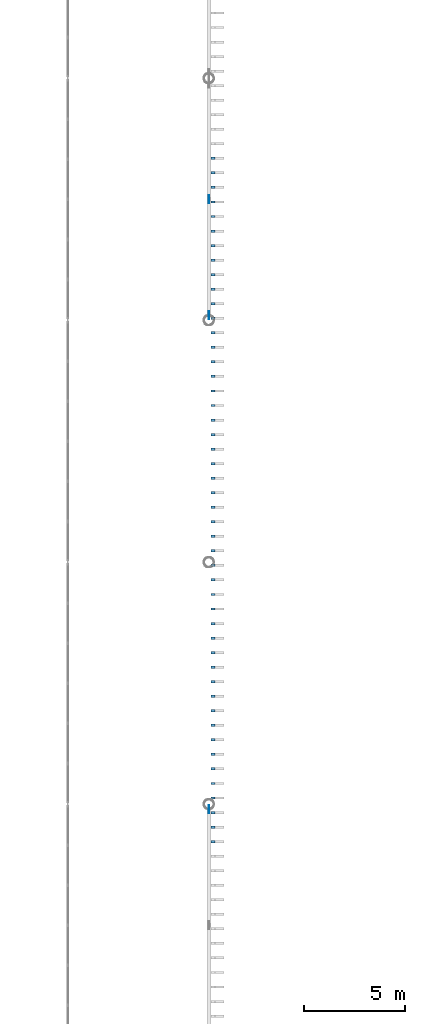
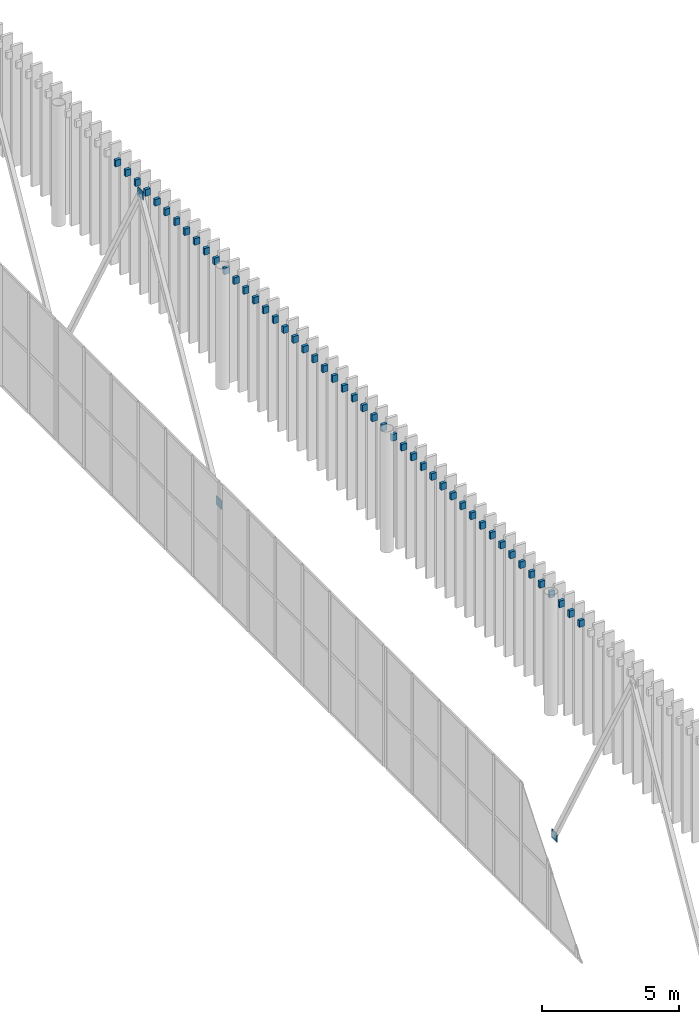
# One storey, part 134 of 170: 51 discrete accessories.
"""IFC4 building model written with IfcOpenShell, lengths in metres."""

from ifc_helpers import new_model, si_unit, direction, frame, origin, origin_2d, place, context, subcontext, project, spatial, rectangle, extrude, material, material_profile, profile_set, type_object, element, save


model = new_model("IFC4")

# Units and contexts
model_context = context("Model", 3, precision=1e-05, world=origin(), true_north=direction((0.0, 1.0)))
body_context = subcontext(model_context, "Body", "Model", "MODEL_VIEW")
ifc_project = project(units=[si_unit("LENGTHUNIT", "METRE"), si_unit("AREAUNIT", "SQUARE_METRE"), si_unit("VOLUMEUNIT", "CUBIC_METRE"), si_unit("PLANEANGLEUNIT", "RADIAN"), si_unit("MASSUNIT", "GRAM", prefix="KILO")], contexts=[model_context])

# Site, building, storey
site_placement = place(None, origin())
site = spatial("IfcSite", under=ifc_project, at=site_placement, CompositionType="ELEMENT")
building_placement = place(site_placement, origin())
building = spatial("IfcBuilding", under=site, at=building_placement, Name="Ravi Spectrum Wholesale Market", CompositionType="ELEMENT")
storey_placement = place(building_placement, frame((0.0, 0.0, 5.39990234375)))
storey = spatial("IfcBuildingStorey", under=building, at=storey_placement, Name="L01", CompositionType="ELEMENT", Elevation=5.39990234375)

# Discrete accessories
ifc_material_1 = material(Name="Steel S355", Category="steel")
discrete_accessory_type_1 = type_object("IfcDiscreteAccessoryType", Name="Fin bracket 120", PredefinedType="BRACKET", material=ifc_material_1)
for number, where, z_axis, x_axis, name in (
    (1, (110.199951171875, 76.14599609375, 4.89990234375), (0.0, 0.0, 1.0), (0.0, 1.0, 0.0), "Fin bracket B418"),
    (2, (110.199951171875, 76.866943359375, 4.89990234375), (0.0, 0.0, 1.0), (0.0, 1.0, 0.0), "Fin bracket B419"),
    (3, (110.199951171875, 77.587890625, 4.89990234375), (0.0, 0.0, 1.0), (0.0, 1.0, 0.0), "Fin bracket B420"),
    (4, (110.199951171875, 78.30908203125, 4.89990234375), (0.0, 0.0, 1.0), (0.0, 1.0, 0.0), "Fin bracket B421"),
    (5, (110.199951171875, 79.030029296875, 4.89990234375), (0.0, 0.0, 1.0), (0.0, 1.0, 0.0), "Fin bracket B422"),
    (6, (110.199951171875, 79.7509765625, 4.89990234375), (0.0, 0.0, 1.0), (0.0, 1.0, 0.0), "Fin bracket B423"),
    (7, (110.199951171875, 80.47216796875, 4.89990234375), (0.0, 0.0, 1.0), (0.0, 1.0, 0.0), "Fin bracket B424"),
    (8, (110.199951171875, 81.193115234375, 4.89990234375), (0.0, 0.0, 1.0), (0.0, 1.0, 0.0), "Fin bracket B425"),
    (9, (110.199951171875, 81.9140625, 4.89990234375), (0.0, 0.0, 1.0), (0.0, 1.0, 0.0), "Fin bracket B426"),
    (10, (110.199951171875, 82.63525390625, 4.89990234375), (0.0, 0.0, 1.0), (0.0, 1.0, 0.0), "Fin bracket B427"),
    (11, (110.199951171875, 83.356201171875, 4.89990234375), (0.0, 0.0, 1.0), (0.0, 1.0, 0.0), "Fin bracket B428"),
    (12, (110.199951171875, 84.0771484375, 4.89990234375), (0.0, 0.0, 1.0), (0.0, 1.0, 0.0), "Fin bracket B429"),
    (13, (110.199951171875, 84.79833984375, 4.89990234375), (0.0, 0.0, 1.0), (0.0, 1.0, 0.0), "Fin bracket B430"),
    (14, (110.199951171875, 85.519287109375, 4.89990234375), (0.0, 0.0, 1.0), (0.0, 1.0, 0.0), "Fin bracket B431"),
    (15, (110.199951171875, 86.240234375, 4.89990234375), (0.0, 0.0, 1.0), (0.0, 1.0, 0.0), "Fin bracket B432"),
    (16, (110.199951171875, 86.96142578125, 4.89990234375), (0.0, 0.0, 1.0), (0.0, 1.0, 0.0), "Fin bracket B433"),
    (17, (110.199951171875, 87.682373046875, 4.89990234375), (0.0, 0.0, 1.0), (0.0, 1.0, 0.0), "Fin bracket B434"),
    (18, (110.199951171875, 88.4033203125, 4.89990234375), (0.0, 0.0, 1.0), (0.0, 1.0, 0.0), "Fin bracket B435"),
    (19, (110.199951171875, 89.12451171875, 4.89990234375), (0.0, 0.0, 1.0), (0.0, 1.0, 0.0), "Fin bracket B436"),
    (20, (110.199951171875, 89.845458984375, 4.89990234375), (0.0, 0.0, 1.0), (0.0, 1.0, 0.0), "Fin bracket B437"),
    (21, (110.199951171875, 90.56640625, 4.89990234375), (0.0, 0.0, 1.0), (0.0, 1.0, 0.0), "Fin bracket B438"),
    (22, (110.199951171875, 91.28759765625, 4.89990234375), (0.0, 0.0, 1.0), (0.0, 1.0, 0.0), "Fin bracket B439"),
    (23, (110.199951171875, 92.008544921875, 4.89990234375), (0.0, 0.0, 1.0), (0.0, 1.0, 0.0), "Fin bracket B440"),
    (24, (110.199951171875, 92.7294921875, 4.89990234375), (0.0, 0.0, 1.0), (0.0, 1.0, 0.0), "Fin bracket B441"),
    (25, (110.199951171875, 93.45068359375, 4.89990234375), (0.0, 0.0, 1.0), (0.0, 1.0, 0.0), "Fin bracket B442"),
    (26, (110.199951171875, 94.171630859375, 4.89990234375), (0.0, 0.0, 1.0), (0.0, 1.0, 0.0), "Fin bracket B443"),
    (27, (110.199951171875, 94.892822265625, 4.89990234375), (0.0, 0.0, 1.0), (0.0, 1.0, 0.0), "Fin bracket B444"),
    (28, (110.199951171875, 95.61376953125, 4.89990234375), (0.0, 0.0, 1.0), (0.0, 1.0, 0.0), "Fin bracket B445"),
    (29, (110.199951171875, 96.334716796875, 4.89990234375), (0.0, 0.0, 1.0), (0.0, 1.0, 0.0), "Fin bracket B446"),
    (30, (110.199951171875, 97.055908203125, 4.89990234375), (0.0, 0.0, 1.0), (0.0, 1.0, 0.0), "Fin bracket B447"),
    (31, (110.199951171875, 97.77685546875, 4.89990234375), (0.0, 0.0, 1.0), (0.0, 1.0, 0.0), "Fin bracket B448"),
    (32, (110.199951171875, 98.497802734375, 4.89990234375), (0.0, 0.0, 1.0), (0.0, 1.0, 0.0), "Fin bracket B449"),
    (33, (110.199951171875, 99.218994140625, 4.89990234375), (0.0, 0.0, 1.0), (0.0, 1.0, 0.0), "Fin bracket B450"),
    (34, (110.199951171875, 99.93994140625, 4.89990234375), (0.0, 0.0, 1.0), (0.0, 1.0, 0.0), "Fin bracket B451"),
    (35, (110.199951171875, 100.660888671875, 4.89990234375), (0.0, 0.0, 1.0), (0.0, 1.0, 0.0), "Fin bracket B452"),
    (36, (110.199951171875, 101.382080078125, 4.89990234375), (0.0, 0.0, 1.0), (0.0, 1.0, 0.0), "Fin bracket B453"),
    (37, (110.199951171875, 102.10302734375, 4.89990234375), (0.0, 0.0, 1.0), (0.0, 1.0, 0.0), "Fin bracket B454"),
    (38, (110.199951171875, 102.823974609375, 4.89990234375), (0.0, 0.0, 1.0), (0.0, 1.0, 0.0), "Fin bracket B455"),
    (39, (110.199951171875, 103.545166015625, 4.89990234375), (0.0, 0.0, 1.0), (0.0, 1.0, 0.0), "Fin bracket B456"),
    (40, (110.199951171875, 104.26611328125, 4.89990234375), (0.0, 0.0, 1.0), (0.0, 1.0, 0.0), "Fin bracket B457"),
    (41, (110.199951171875, 104.987060546875, 4.89990234375), (0.0, 0.0, 1.0), (0.0, 1.0, 0.0), "Fin bracket B458"),
    (42, (110.199951171875, 105.708251953125, 4.89990234375), (0.0, 0.0, 1.0), (0.0, 1.0, 0.0), "Fin bracket B459"),
    (43, (110.199951171875, 106.42919921875, 4.89990234375), (0.0, 0.0, 1.0), (0.0, 1.0, 0.0), "Fin bracket B460"),
    (44, (110.199951171875, 107.150146484375, 4.89990234375), (0.0, 0.0, 1.0), (0.0, 1.0, 0.0), "Fin bracket B461"),
    (45, (110.199951171875, 107.871337890625, 4.89990234375), (0.0, 0.0, 1.0), (0.0, 1.0, 0.0), "Fin bracket B462"),
    (46, (110.199951171875, 108.59228515625, 4.89990234375), (0.0, 0.0, 1.0), (0.0, 1.0, 0.0), "Fin bracket B463"),
    (47, (110.199951171875, 109.313232421875, 4.89990234375), (0.0, 0.0, 1.0), (0.0, 1.0, 0.0), "Fin bracket B464"),
    (48, (110.199951171875, 110.034423828125, 4.89990234375), (0.0, 0.0, 1.0), (0.0, 1.0, 0.0), "Fin bracket B465"),
):
    element("IfcDiscreteAccessory", number, at=place(storey_placement, frame(where, z_axis=z_axis, x_axis=x_axis)), inside=storey, type_object=discrete_accessory_type_1, Name=name, PredefinedType="BRACKET", context=body_context, shape_type="SweptSolid", body=[
        extrude(rectangle(XDim=0.1201171875, YDim=0.219970703125, at=origin_2d()), origin(), (0.0, 0.0, 1.0), 0.300048828125),
    ])
ifc_material_2 = material(Name="Steel S355", Category="steel")
ifc_material_profile = material_profile(ifc_material_2, rectangle(XDim=0.39990234375, YDim=0.02001953125, at=origin_2d()))
ifc_profile_set = profile_set([ifc_material_profile], Name="Steel S355")
discrete_accessory_type_2 = type_object("IfcDiscreteAccessoryType", Name="Gusset plate 400x400x20", PredefinedType="BRACKET", material=ifc_profile_set)
for number, where, z_axis, x_axis, name in (
    (49, (110.0, 77.74609375, -5.55078125), (0.0, 0.0, 1.0), (0.0, -1.0, 0.0), "Gusset plate"),
    (50, (110.0, 102.25390625, -5.55078125), (0.0, 0.0, 1.0), (0.0, 1.0, 0.0), "Gusset plate"),
):
    element("IfcDiscreteAccessory", number, at=place(storey_placement, frame(where, z_axis=z_axis, x_axis=x_axis)), inside=storey, type_object=discrete_accessory_type_2, Name=name, PredefinedType="BRACKET", context=body_context, shape_type="SweptSolid", body=[
        extrude(rectangle(XDim=0.39990234375, YDim=0.02001953125, at=origin_2d()), origin(), (0.0, 0.0, 1.0), 0.39990234375),
    ])
discrete_accessory_placement = place(storey_placement, frame((110.0, 108.0, 4.75), z_axis=(0.0, 0.0, 1.0), x_axis=(0.0, 1.0, 0.0)))
element("IfcDiscreteAccessory", 51, at=discrete_accessory_placement, inside=storey, type_object=discrete_accessory_type_2, Name="Gusset plate", PredefinedType="BRACKET", context=body_context, shape_type="SweptSolid", body=[
    extrude(rectangle(XDim=0.39990234375, YDim=0.02001953125, at=origin_2d()), origin(), (0.0, 0.0, 1.0), 0.400146484375),
])

save(model, "model.ifc")
